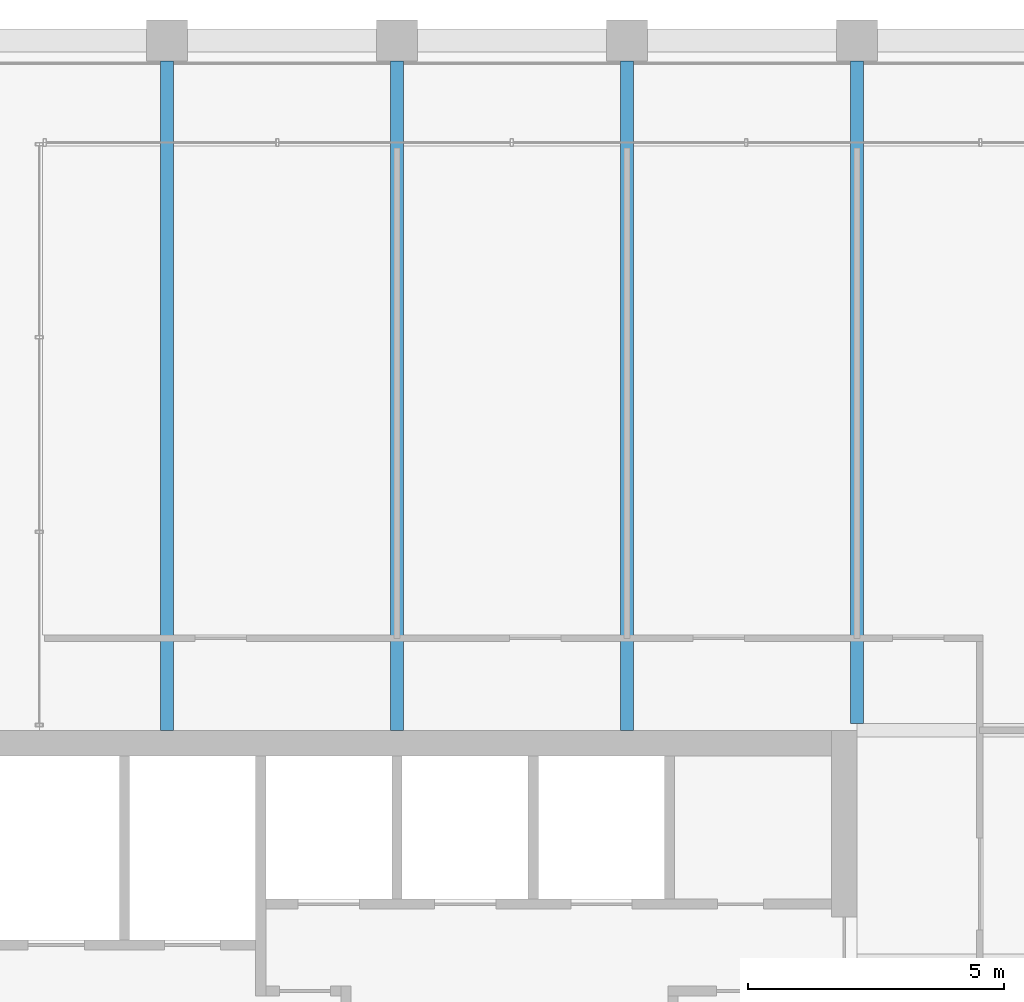
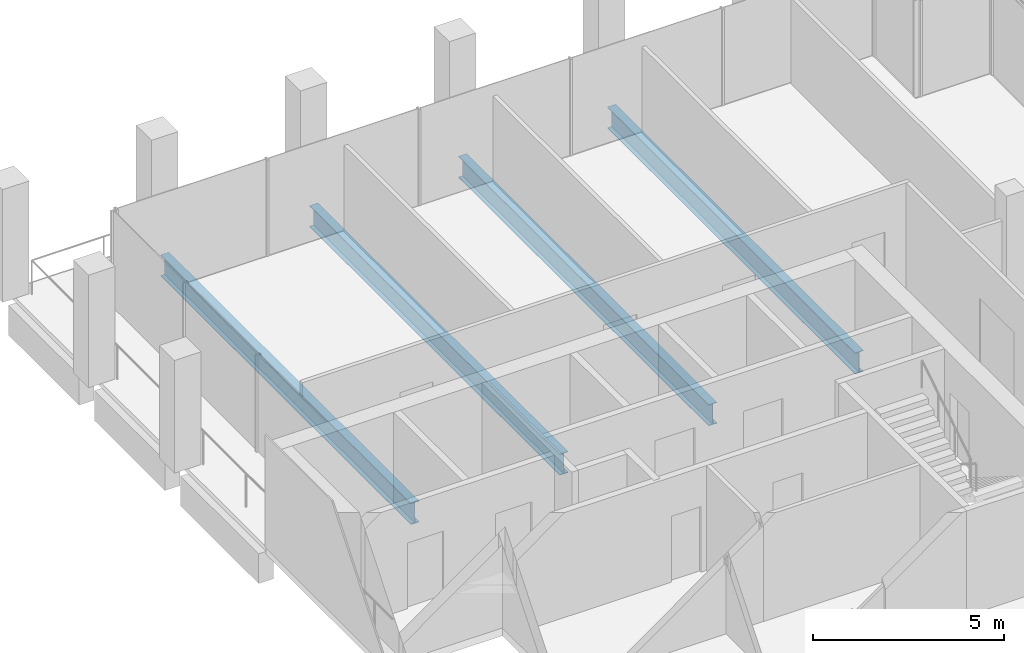
# One storey, part 22 of 30: 4 beams.
"""IFC4 building model written with IfcOpenShell, lengths in metres."""

from ifc_helpers import new_model, si_unit, direction, frame, origin, origin_2d, place, context, subcontext, project, spatial, i_section, extrude, material, material_profile, profile_set, type_object, element, save


model = new_model("IFC4")

# Units and contexts
model_context = context("Model", 3, precision=1e-05, world=origin(), true_north=direction((0.0, 1.0)))
body_context = subcontext(model_context, "Body", "Model", "MODEL_VIEW")
ifc_project = project(units=[si_unit("LENGTHUNIT", "METRE"), si_unit("AREAUNIT", "SQUARE_METRE"), si_unit("VOLUMEUNIT", "CUBIC_METRE"), si_unit("PLANEANGLEUNIT", "RADIAN"), si_unit("MASSUNIT", "GRAM", prefix="KILO")], contexts=[model_context])

# Site, building, storey
site_placement = place(None, origin())
site = spatial("IfcSite", under=ifc_project, at=site_placement, CompositionType="ELEMENT")
building_placement = place(site_placement, origin())
building = spatial("IfcBuilding", under=site, at=building_placement, Name="Altepetl Exchange Towers", CompositionType="ELEMENT")
storey_placement = place(building_placement, frame((0.0, 0.0, 224.39990234375)))
storey = spatial("IfcBuildingStorey", under=building, at=storey_placement, Name="L57", CompositionType="ELEMENT", Elevation=224.39990234375)

# Beams
ifc_material = material(Name="Steel S355", Category="steel")
ifc_material_profile = material_profile(ifc_material, i_section(OverallWidth=0.2529296875, OverallDepth=0.677978515625, WebThickness=0.01171875, FlangeThickness=0.016357421875, at=origin_2d()), Name="W27X84")
ifc_profile_set = profile_set([ifc_material_profile], Name="Steel S355")
beam_type = type_object("IfcBeamType", Name="Floor beam W27X84", PredefinedType="BEAM", material=ifc_profile_set)
for number, where, z_axis, x_axis, name in (
    (1, (45.0, 58.5, -0.489013671875), (0.0, 1.0, 0.0), (-1.0, 0.0, 0.0), "bm:A:L57:000"),
    (2, (49.5, 58.5, -0.489013671875), (0.0, 1.0, 0.0), (-1.0, 0.0, 0.0), "bm:A:L57:001"),
    (3, (54.0, 58.5, -0.489013671875), (0.0, 1.0, 0.0), (-1.0, 0.0, 0.0), "bm:A:L57:002"),
):
    element("IfcBeam", number, at=place(storey_placement, frame(where, z_axis=z_axis, x_axis=x_axis)), inside=storey, type_object=beam_type, Name=name, PredefinedType="BEAM", context=body_context, shape_type="SweptSolid", body=[
        extrude(i_section(OverallWidth=0.2529296875, OverallDepth=0.677978515625, WebThickness=0.01171875, FlangeThickness=0.016357421875, at=origin_2d()), origin(), (0.0, 0.0, 1.0), 13.10009765625),
    ])
beam_placement = place(storey_placement, frame((58.5, 58.634033203125, -0.489013671875), z_axis=(0.0, 1.0, 0.0), x_axis=(-1.0, 0.0, 0.0)))
element("IfcBeam", 4, at=beam_placement, inside=storey, type_object=beam_type, Name="bm:A:L57:003", PredefinedType="BEAM", context=body_context, shape_type="SweptSolid", body=[
    extrude(i_section(OverallWidth=0.2529296875, OverallDepth=0.677978515625, WebThickness=0.01171875, FlangeThickness=0.016357421875, at=origin_2d()), origin(), (0.0, 0.0, 1.0), 12.966064453125),
])

save(model, "model.ifc")
